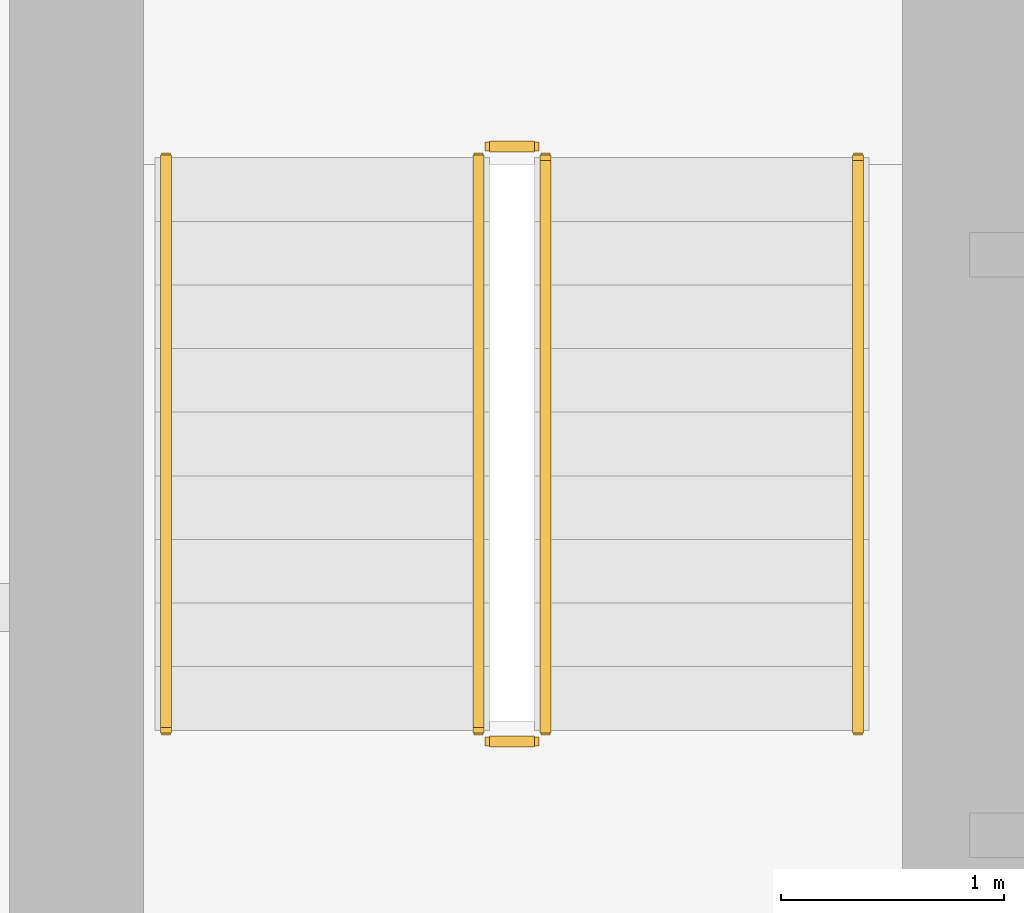
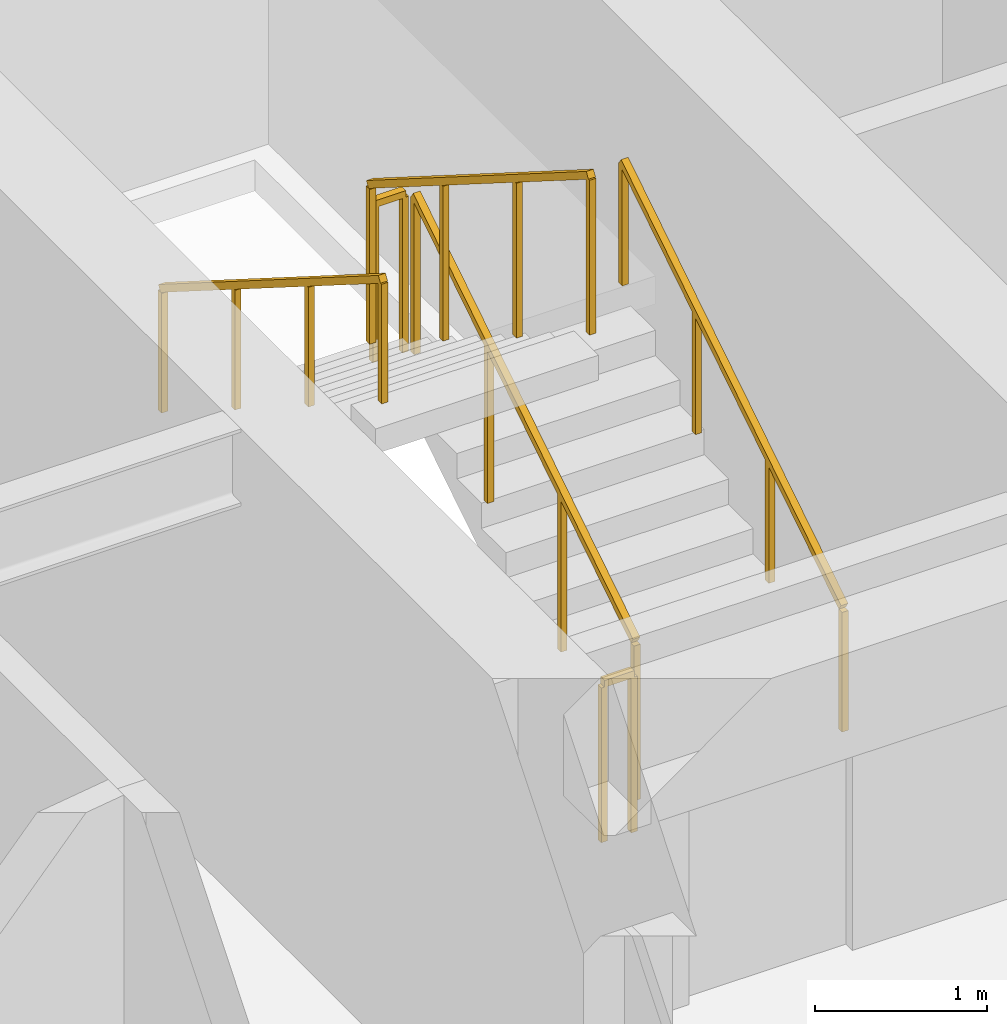
# One storey, part 24 of 26: 6 railings.
"""IFC4 building model written with IfcOpenShell, lengths in metres."""

from ifc_helpers import new_model, si_unit, direction, frame, origin, origin_2d, place, context, subcontext, project, spatial, rectangle, extrude, material, type_object, element, save


model = new_model("IFC4")

# Units and contexts
model_context = context("Model", 3, precision=1e-05, world=origin(), true_north=direction((0.0, 1.0)))
body_context = subcontext(model_context, "Body", "Model", "MODEL_VIEW")
ifc_project = project(units=[si_unit("LENGTHUNIT", "METRE"), si_unit("AREAUNIT", "SQUARE_METRE"), si_unit("VOLUMEUNIT", "CUBIC_METRE"), si_unit("PLANEANGLEUNIT", "RADIAN"), si_unit("MASSUNIT", "GRAM", prefix="KILO")], contexts=[model_context])

# Site, building, storey
site_placement = place(None, origin())
site = spatial("IfcSite", under=ifc_project, at=site_placement, CompositionType="ELEMENT")
building_placement = place(site_placement, origin())
building = spatial("IfcBuilding", under=site, at=building_placement, Name="Sarneth Arch Tower", CompositionType="ELEMENT")
storey_placement = place(building_placement, frame((0.0, 0.0, 64.199951171875)))
storey = spatial("IfcBuildingStorey", under=building, at=storey_placement, Name="L15", CompositionType="ELEMENT", Elevation=64.199951171875)

# Railings
ifc_material_1 = material(Name="Brushed Stainless Steel 304 tubular handrail", Category="steel")
railing_type_1 = type_object("IfcRailingType", Name="RAIL-HANDRAIL-900", PredefinedType="HANDRAIL", material=ifc_material_1)
railing_1_placement = place(storey_placement, frame((40.5, 41.449951171875, 0.179931640625)))
element("IfcRailing", 1, at=railing_1_placement, inside=storey, type_object=railing_type_1, Name="L15 ST-1 stair handrail 1", PredefinedType="HANDRAIL", context=body_context, shape_type="SweptSolid", body=[
    extrude(rectangle(XDim=0.048095703125, YDim=0.048095703125, at=origin_2d()), frame((0.0, 0.0, 0.8759765625), z_axis=(0.0, 0.845465955043, 0.534029323973), x_axis=(-1.0, 0.0, 0.0)), (0.0, 0.0, 1.0), 3.03369140625),
    extrude(rectangle(XDim=0.0419921875, YDim=0.0419921875, at=origin_2d()), origin(), (0.0, 0.0, 1.0), 0.851806640625),
    extrude(rectangle(XDim=0.0419921875, YDim=0.0419921875, at=origin_2d()), frame((0.0, 0.85498046875, 0.5400390625)), (0.0, 0.0, 1.0), 0.851806640625),
    extrude(rectangle(XDim=0.0419921875, YDim=0.0419921875, at=origin_2d()), frame((0.0, 1.7099609375, 1.080078125)), (0.0, 0.0, 1.0), 0.851806640625),
    extrude(rectangle(XDim=0.0419921875, YDim=0.0419921875, at=origin_2d()), frame((0.0, 2.56494140625, 1.6201171875)), (0.0, 0.0, 1.0), 0.851806640625),
])
railing_2_placement = place(storey_placement, frame((37.39990234375, 44.014892578125, 1.97998046875)))
element("IfcRailing", 2, at=railing_2_placement, inside=storey, type_object=railing_type_1, Name="L15 ST-1 stair handrail 2", PredefinedType="HANDRAIL", context=body_context, shape_type="SweptSolid", body=[
    extrude(rectangle(XDim=0.048095703125, YDim=0.048095703125, at=origin_2d()), frame((0.0, 0.0, 0.8759765625), z_axis=(0.0, -0.845465955043, 0.534029323973), x_axis=(1.0, 0.0, 0.0)), (0.0, 0.0, 1.0), 3.03369140625),
    extrude(rectangle(XDim=0.0419921875, YDim=0.0419921875, at=origin_2d()), origin(), (0.0, 0.0, 1.0), 0.851806640625),
    extrude(rectangle(XDim=0.0419921875, YDim=0.0419921875, at=origin_2d()), frame((0.0, -0.85498046875, 0.5400390625)), (0.0, 0.0, 1.0), 0.851806640625),
    extrude(rectangle(XDim=0.0419921875, YDim=0.0419921875, at=origin_2d()), frame((0.0, -1.7099609375, 1.080078125)), (0.0, 0.0, 1.0), 0.851806640625),
    extrude(rectangle(XDim=0.0419921875, YDim=0.0419921875, at=origin_2d()), frame((0.0, -2.56494140625, 1.6201171875)), (0.0, 0.0, 1.0), 0.851806640625),
])
ifc_material_2 = material(Name="Painted Steel S275 stair well guard", Category="steel")
railing_type_2 = type_object("IfcRailingType", Name="RAIL-STAIR-GUARD", PredefinedType="GUARDRAIL", material=ifc_material_2)
railing_3_placement = place(storey_placement, frame((39.10009765625, 41.449951171875, 0.179931640625)))
element("IfcRailing", 3, at=railing_3_placement, inside=storey, type_object=railing_type_2, Name="L15 ST-1 stair guard 1", PredefinedType="GUARDRAIL", context=body_context, shape_type="SweptSolid", body=[
    extrude(rectangle(XDim=0.048095703125, YDim=0.048095703125, at=origin_2d()), frame((0.0, 0.0, 1.1259765625), z_axis=(0.0, 0.845465955043, 0.534029323973), x_axis=(-1.0, 0.0, 0.0)), (0.0, 0.0, 1.0), 3.03369140625),
    extrude(rectangle(XDim=0.0419921875, YDim=0.0419921875, at=origin_2d()), origin(), (0.0, 0.0, 1.0), 1.101806640625),
    extrude(rectangle(XDim=0.0419921875, YDim=0.0419921875, at=origin_2d()), frame((0.0, 0.85498046875, 0.5400390625)), (0.0, 0.0, 1.0), 1.101806640625),
    extrude(rectangle(XDim=0.0419921875, YDim=0.0419921875, at=origin_2d()), frame((0.0, 1.7099609375, 1.080078125)), (0.0, 0.0, 1.0), 1.101806640625),
    extrude(rectangle(XDim=0.0419921875, YDim=0.0419921875, at=origin_2d()), frame((0.0, 2.56494140625, 1.6201171875)), (0.0, 0.0, 1.0), 1.101806640625),
])
railing_4_placement = place(storey_placement, frame((39.050048828125, 44.06494140625, 1.800048828125)))
element("IfcRailing", 4, at=railing_4_placement, inside=storey, type_object=railing_type_2, Name="L15 ST-1 stair guard 2", PredefinedType="GUARDRAIL", context=body_context, shape_type="SweptSolid", body=[
    extrude(rectangle(XDim=0.048095703125, YDim=0.048095703125, at=origin_2d()), frame((0.0, 0.0, 1.1259765625), z_axis=(-1.0, 0.0, 0.0), x_axis=(0.0, -1.0, 0.0)), (0.0, 0.0, 1.0), 0.199951171875),
    extrude(rectangle(XDim=0.0419921875, YDim=0.0419921875, at=origin_2d()), origin(), (0.0, 0.0, 1.0), 1.101806640625),
    extrude(rectangle(XDim=0.0419921875, YDim=0.0419921875, at=origin_2d()), frame((-0.199951171875, 0.0, 0.0)), (0.0, 0.0, 1.0), 1.101806640625),
])
railing_5_placement = place(storey_placement, frame((38.800048828125, 44.014892578125, 1.97998046875)))
element("IfcRailing", 5, at=railing_5_placement, inside=storey, type_object=railing_type_2, Name="L15 ST-1 stair guard 3", PredefinedType="GUARDRAIL", context=body_context, shape_type="SweptSolid", body=[
    extrude(rectangle(XDim=0.048095703125, YDim=0.048095703125, at=origin_2d()), frame((0.0, 0.0, 1.1259765625), z_axis=(0.0, -0.845465955043, 0.534029323973), x_axis=(1.0, 0.0, 0.0)), (0.0, 0.0, 1.0), 3.03369140625),
    extrude(rectangle(XDim=0.0419921875, YDim=0.0419921875, at=origin_2d()), origin(), (0.0, 0.0, 1.0), 1.101806640625),
    extrude(rectangle(XDim=0.0419921875, YDim=0.0419921875, at=origin_2d()), frame((0.0, -0.85498046875, 0.5400390625)), (0.0, 0.0, 1.0), 1.101806640625),
    extrude(rectangle(XDim=0.0419921875, YDim=0.0419921875, at=origin_2d()), frame((0.0, -1.7099609375, 1.080078125)), (0.0, 0.0, 1.0), 1.101806640625),
    extrude(rectangle(XDim=0.0419921875, YDim=0.0419921875, at=origin_2d()), frame((0.0, -2.56494140625, 1.6201171875)), (0.0, 0.0, 1.0), 1.101806640625),
])
railing_6_placement = place(storey_placement, frame((39.050048828125, 41.39990234375, 0.0)))
element("IfcRailing", 6, at=railing_6_placement, inside=storey, type_object=railing_type_2, Name="L15 ST-1 stair guard 4", PredefinedType="GUARDRAIL", context=body_context, shape_type="SweptSolid", body=[
    extrude(rectangle(XDim=0.048095703125, YDim=0.048095703125, at=origin_2d()), frame((0.0, 0.0, 1.1259765625), z_axis=(-1.0, 0.0, 0.0), x_axis=(0.0, -1.0, 0.0)), (0.0, 0.0, 1.0), 0.199951171875),
    extrude(rectangle(XDim=0.0419921875, YDim=0.0419921875, at=origin_2d()), origin(), (0.0, 0.0, 1.0), 1.101806640625),
    extrude(rectangle(XDim=0.0419921875, YDim=0.0419921875, at=origin_2d()), frame((-0.199951171875, 0.0, 0.0)), (0.0, 0.0, 1.0), 1.101806640625),
])

save(model, "model.ifc")
